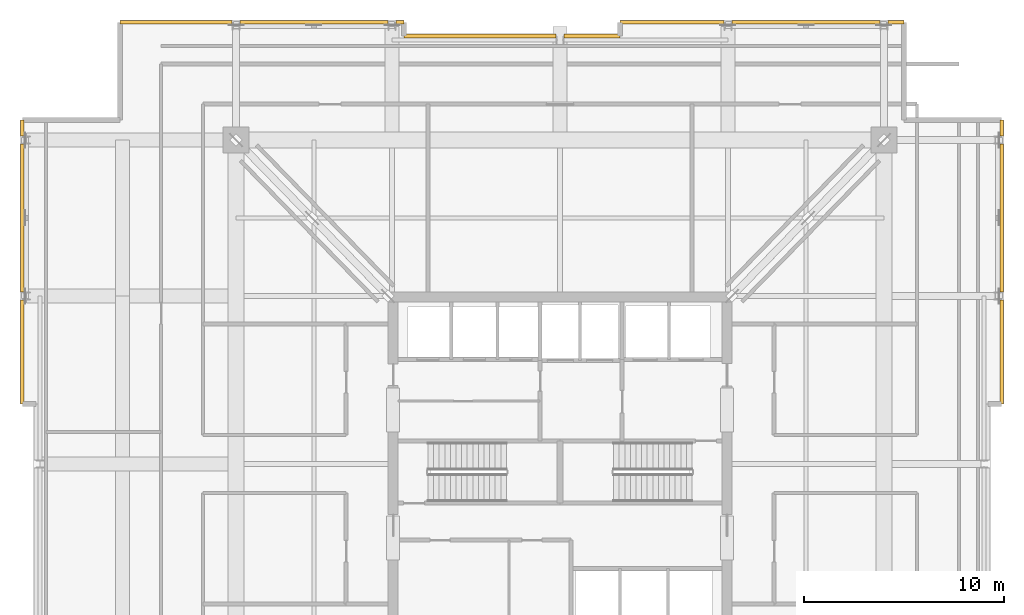
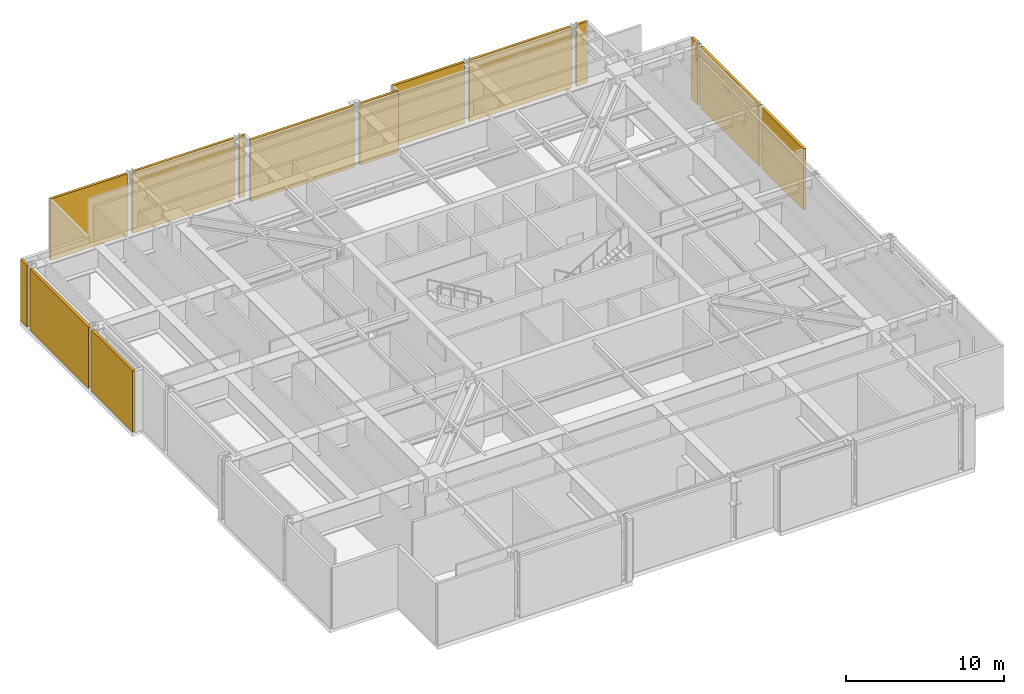
# One storey, part 13 of 13: 14 shading devices.
"""IFC4 building model written with IfcOpenShell, lengths in metres."""

from ifc_helpers import new_model, si_unit, direction, frame, origin, origin_2d, place, context, subcontext, project, spatial, rectangle, extrude, material, layer, layer_set, type_object, element, save


model = new_model("IFC4")

# Units and contexts
model_context = context("Model", 3, precision=1e-05, world=origin(), true_north=direction((0.0, 1.0)))
body_context = subcontext(model_context, "Body", "Model", "MODEL_VIEW")
ifc_project = project(units=[si_unit("LENGTHUNIT", "METRE"), si_unit("AREAUNIT", "SQUARE_METRE"), si_unit("VOLUMEUNIT", "CUBIC_METRE"), si_unit("PLANEANGLEUNIT", "RADIAN"), si_unit("MASSUNIT", "GRAM", prefix="KILO")], contexts=[model_context])

# Site, building, storey
site_placement = place(None, origin())
site = spatial("IfcSite", under=ifc_project, at=site_placement, CompositionType="ELEMENT")
building_placement = place(site_placement, origin())
building = spatial("IfcBuilding", under=site, at=building_placement, Name="Drelvath Grand Hotel", CompositionType="ELEMENT")
storey_placement = place(building_placement, frame((0.0, 0.0, 200.10009765625)))
storey = spatial("IfcBuildingStorey", under=building, at=storey_placement, Name="L52", CompositionType="ELEMENT", Elevation=200.10009765625)

# Shading devices
ifc_material = material(Name="Pale-Metal Anodised Aluminium Louvre", Category="aluminium")
ifc_layer = layer(ifc_material, 0.179931640625)
ifc_layer_set = layer_set([ifc_layer], Name="Pale-Metal Anodised Aluminium Louvre")
shading_device_type = type_object("IfcShadingDeviceType", Name="Mechanical Acoustic Weather Louvre Pale-Metal 180", PredefinedType="USERDEFINED", material=ifc_layer_set)
shading_device_1_placement = place(storey_placement, frame((-26.8798828125, 32.604248046875, 0.0), z_axis=(0.0, 0.0, 1.0), x_axis=(0.0, 1.0, 0.0)))
element("IfcShadingDevice", 1, at=shading_device_1_placement, inside=storey, type_object=shading_device_type, Name="L52 Mechanical Plant Acoustic Louvre WN-1", ObjectType="LOUVRE", PredefinedType="USERDEFINED", context=body_context, shape_type="SweptSolid", body=[
    extrude(rectangle(XDim=5.20849609375, YDim=0.179931640625, at=origin_2d()), origin(), (0.0, 0.0, 1.0), 4.739990234375),
])
shading_device_2_placement = place(storey_placement, frame((-26.8798828125, 39.300048828125, 0.0), z_axis=(0.0, 0.0, 1.0), x_axis=(0.0, 1.0, 0.0)))
element("IfcShadingDevice", 2, at=shading_device_2_placement, inside=storey, type_object=shading_device_type, Name="L52 Mechanical Plant Acoustic Louvre WN-2", ObjectType="LOUVRE", PredefinedType="USERDEFINED", context=body_context, shape_type="SweptSolid", body=[
    extrude(rectangle(XDim=7.416748046875, YDim=0.179931640625, at=origin_2d()), origin(), (0.0, 0.0, 1.0), 4.739990234375),
])
shading_device_3_placement = place(storey_placement, frame((-26.8798828125, 43.7958984375, 0.0), z_axis=(0.0, 0.0, 1.0), x_axis=(0.0, 1.0, 0.0)))
element("IfcShadingDevice", 3, at=shading_device_3_placement, inside=storey, type_object=shading_device_type, Name="L52 Mechanical Plant Acoustic Louvre WN-3", ObjectType="LOUVRE", PredefinedType="USERDEFINED", context=body_context, shape_type="SweptSolid", body=[
    extrude(rectangle(XDim=0.808349609375, YDim=0.179931640625, at=origin_2d()), origin(), (0.0, 0.0, 1.0), 4.739990234375),
])
shading_device_4_placement = place(storey_placement, frame((22.080078125, 32.604248046875, 0.0), z_axis=(0.0, 0.0, 1.0), x_axis=(0.0, 1.0, 0.0)))
element("IfcShadingDevice", 4, at=shading_device_4_placement, inside=storey, type_object=shading_device_type, Name="L52 Mechanical Plant Acoustic Louvre EN-1", ObjectType="LOUVRE", PredefinedType="USERDEFINED", context=body_context, shape_type="SweptSolid", body=[
    extrude(rectangle(XDim=5.20849609375, YDim=0.179931640625, at=origin_2d()), origin(), (0.0, 0.0, 1.0), 4.739990234375),
])
shading_device_5_placement = place(storey_placement, frame((22.080078125, 39.300048828125, 0.0), z_axis=(0.0, 0.0, 1.0), x_axis=(0.0, 1.0, 0.0)))
element("IfcShadingDevice", 5, at=shading_device_5_placement, inside=storey, type_object=shading_device_type, Name="L52 Mechanical Plant Acoustic Louvre EN-2", ObjectType="LOUVRE", PredefinedType="USERDEFINED", context=body_context, shape_type="SweptSolid", body=[
    extrude(rectangle(XDim=7.416748046875, YDim=0.179931640625, at=origin_2d()), origin(), (0.0, 0.0, 1.0), 4.739990234375),
])
shading_device_6_placement = place(storey_placement, frame((22.080078125, 43.7958984375, 0.0), z_axis=(0.0, 0.0, 1.0), x_axis=(0.0, 1.0, 0.0)))
element("IfcShadingDevice", 6, at=shading_device_6_placement, inside=storey, type_object=shading_device_type, Name="L52 Mechanical Plant Acoustic Louvre EN-3", ObjectType="LOUVRE", PredefinedType="USERDEFINED", context=body_context, shape_type="SweptSolid", body=[
    extrude(rectangle(XDim=0.808349609375, YDim=0.179931640625, at=origin_2d()), origin(), (0.0, 0.0, 1.0), 4.739990234375),
])
shading_device_7_placement = place(storey_placement, frame((-19.19580078125, 49.080078125, 0.0), z_axis=(0.0, 0.0, 1.0), x_axis=(1.0, 0.0, 0.0)))
element("IfcShadingDevice", 7, at=shading_device_7_placement, inside=storey, type_object=shading_device_type, Name="L52 Mechanical Plant Acoustic Louvre NW-1", ObjectType="LOUVRE", PredefinedType="USERDEFINED", context=body_context, shape_type="SweptSolid", body=[
    extrude(rectangle(XDim=5.6083984375, YDim=0.179931640625, at=origin_2d()), origin(), (0.0, 0.0, 1.0), 4.739990234375),
])
shading_device_8_placement = place(storey_placement, frame((-12.300048828125, 49.080078125, 0.0), z_axis=(0.0, 0.0, 1.0), x_axis=(1.0, 0.0, 0.0)))
element("IfcShadingDevice", 8, at=shading_device_8_placement, inside=storey, type_object=shading_device_type, Name="L52 Mechanical Plant Acoustic Louvre NW-2", ObjectType="LOUVRE", PredefinedType="USERDEFINED", context=body_context, shape_type="SweptSolid", body=[
    extrude(rectangle(XDim=7.416748046875, YDim=0.179931640625, at=origin_2d()), origin(), (0.0, 0.0, 1.0), 4.739990234375),
])
shading_device_9_placement = place(storey_placement, frame((-8.004150390625, 49.080078125, 0.0), z_axis=(0.0, 0.0, 1.0), x_axis=(1.0, 0.0, 0.0)))
element("IfcShadingDevice", 9, at=shading_device_9_placement, inside=storey, type_object=shading_device_type, Name="L52 Mechanical Plant Acoustic Louvre NW-3", ObjectType="LOUVRE", PredefinedType="USERDEFINED", context=body_context, shape_type="SweptSolid", body=[
    extrude(rectangle(XDim=0.408203125, YDim=0.179931640625, at=origin_2d()), origin(), (0.0, 0.0, 1.0), 4.739990234375),
])
shading_device_10_placement = place(storey_placement, frame((-3.995849609375, 48.39990234375, 0.0), z_axis=(0.0, 0.0, 1.0), x_axis=(1.0, 0.0, 0.0)))
element("IfcShadingDevice", 10, at=shading_device_10_placement, inside=storey, type_object=shading_device_type, Name="L52 Mechanical Plant Acoustic Louvre NM-1", ObjectType="LOUVRE", PredefinedType="USERDEFINED", context=body_context, shape_type="SweptSolid", body=[
    extrude(rectangle(XDim=7.6083984375, YDim=0.179931640625, at=origin_2d()), origin(), (0.0, 0.0, 1.0), 4.739990234375),
])
shading_device_11_placement = place(storey_placement, frame((1.595703125, 48.39990234375, 0.0), z_axis=(0.0, 0.0, 1.0), x_axis=(1.0, 0.0, 0.0)))
element("IfcShadingDevice", 11, at=shading_device_11_placement, inside=storey, type_object=shading_device_type, Name="L52 Mechanical Plant Acoustic Louvre NM-2", ObjectType="LOUVRE", PredefinedType="USERDEFINED", context=body_context, shape_type="SweptSolid", body=[
    extrude(rectangle(XDim=2.808349609375, YDim=0.179931640625, at=origin_2d()), origin(), (0.0, 0.0, 1.0), 4.739990234375),
])
shading_device_12_placement = place(storey_placement, frame((5.60400390625, 49.080078125, 0.0), z_axis=(0.0, 0.0, 1.0), x_axis=(1.0, 0.0, 0.0)))
element("IfcShadingDevice", 12, at=shading_device_12_placement, inside=storey, type_object=shading_device_type, Name="L52 Mechanical Plant Acoustic Louvre NE-1", ObjectType="LOUVRE", PredefinedType="USERDEFINED", context=body_context, shape_type="SweptSolid", body=[
    extrude(rectangle(XDim=5.208251953125, YDim=0.179931640625, at=origin_2d()), origin(), (0.0, 0.0, 1.0), 4.739990234375),
])
shading_device_13_placement = place(storey_placement, frame((12.300048828125, 49.080078125, 0.0), z_axis=(0.0, 0.0, 1.0), x_axis=(1.0, 0.0, 0.0)))
element("IfcShadingDevice", 13, at=shading_device_13_placement, inside=storey, type_object=shading_device_type, Name="L52 Mechanical Plant Acoustic Louvre NE-2", ObjectType="LOUVRE", PredefinedType="USERDEFINED", context=body_context, shape_type="SweptSolid", body=[
    extrude(rectangle(XDim=7.416748046875, YDim=0.179931640625, at=origin_2d()), origin(), (0.0, 0.0, 1.0), 4.739990234375),
])
shading_device_14_placement = place(storey_placement, frame((16.7958984375, 49.080078125, 0.0), z_axis=(0.0, 0.0, 1.0), x_axis=(1.0, 0.0, 0.0)))
element("IfcShadingDevice", 14, at=shading_device_14_placement, inside=storey, type_object=shading_device_type, Name="L52 Mechanical Plant Acoustic Louvre NE-3", ObjectType="LOUVRE", PredefinedType="USERDEFINED", context=body_context, shape_type="SweptSolid", body=[
    extrude(rectangle(XDim=0.808349609375, YDim=0.179931640625, at=origin_2d()), origin(), (0.0, 0.0, 1.0), 4.739990234375),
])

save(model, "model.ifc")
